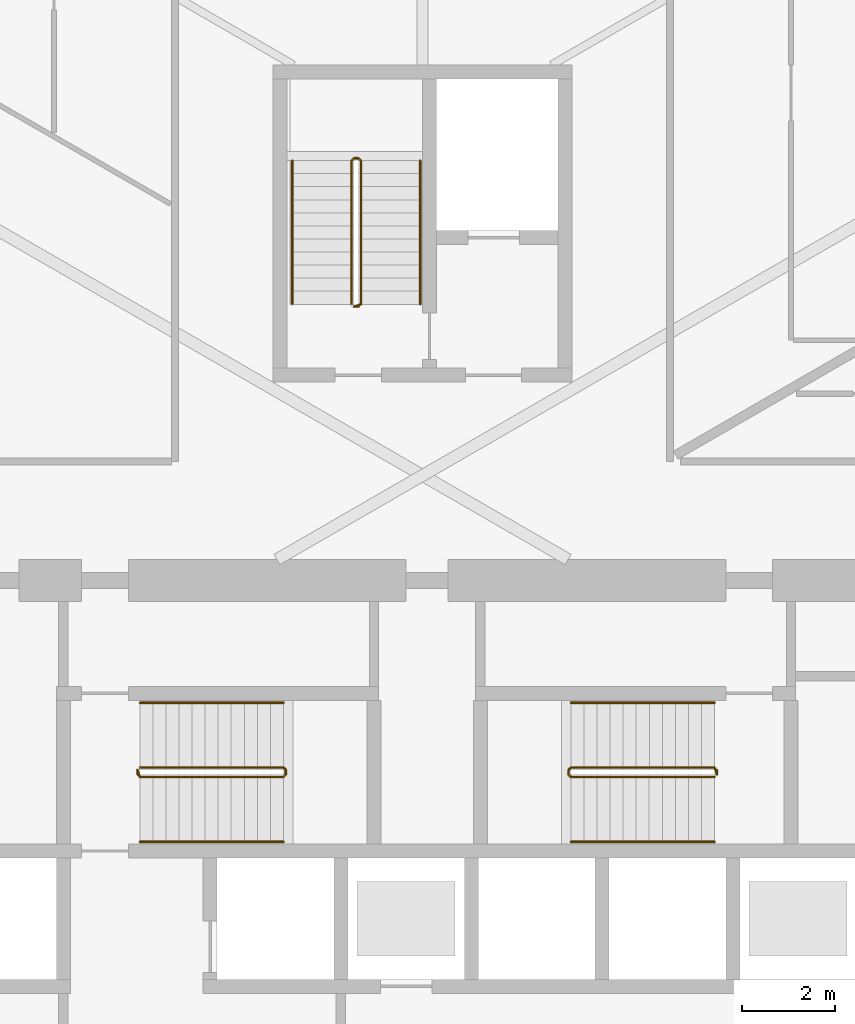
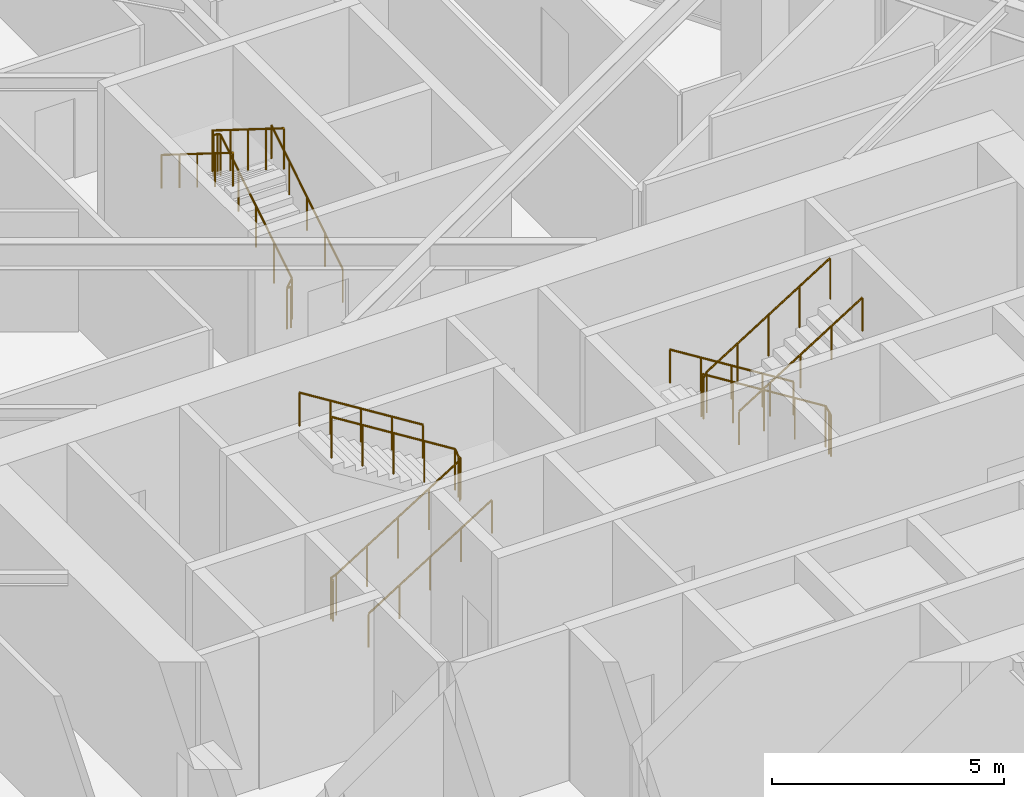
# One storey, part 18 of 19: 9 railings.
"""IFC4 building model written with IfcOpenShell, lengths in metres."""

from ifc_helpers import new_model, si_unit, direction, frame, origin, origin_2d, place, context, subcontext, project, spatial, circle, extrude, material, type_object, element, save


model = new_model("IFC4")

# Units and contexts
model_context = context("Model", 3, precision=1e-05, world=origin(), true_north=direction((0.0, 1.0)))
body_context = subcontext(model_context, "Body", "Model", "MODEL_VIEW")
ifc_project = project(units=[si_unit("LENGTHUNIT", "METRE"), si_unit("AREAUNIT", "SQUARE_METRE"), si_unit("VOLUMEUNIT", "CUBIC_METRE"), si_unit("PLANEANGLEUNIT", "RADIAN"), si_unit("MASSUNIT", "GRAM", prefix="KILO")], contexts=[model_context])

# Site, building, storey
site_placement = place(None, origin())
site = spatial("IfcSite", under=ifc_project, at=site_placement, CompositionType="ELEMENT")
building_placement = place(site_placement, origin())
building = spatial("IfcBuilding", under=site, at=building_placement, Name="Firuza Gate Tower and Library", CompositionType="ELEMENT")
storey_placement = place(building_placement, frame((0.0, 0.0, 103.0)))
storey = spatial("IfcBuildingStorey", under=building, at=storey_placement, Name="L23", CompositionType="ELEMENT", Elevation=103.0)

# Railings
ifc_material_1 = material(Name="Steel S355", Category="steel")
railing_type_1 = type_object("IfcRailingType", Name="Stair guard 1100", PredefinedType="GUARDRAIL", material=ifc_material_1)
railing_1_placement = place(storey_placement, frame((68.889892578125, 79.389892578125, 0.0)))
element("IfcRailing", 1, at=railing_1_placement, inside=storey, type_object=railing_type_1, Name="L23 ST1 stair guard 1", PredefinedType="GUARDRAIL", context=body_context, shape_type="SweptSolid", body=[
    extrude(circle(Radius=0.02392578125, at=origin_2d()), frame((0.0, 0.0, 1.076171875), z_axis=(0.0, 1.0, 0.0), x_axis=(-1.0, 0.0, 0.0)), (0.0, 0.0, 1.0), 0.10009765625),
    extrude(circle(Radius=0.02392578125, at=origin_2d()), frame((0.0, 0.10009765625, 1.076171875), z_axis=(0.21222055169, -0.635626432867, 0.742254319813), x_axis=(0.948528701346, 0.316691178788, 0.0)), (0.0, 0.0, 1.0), 0.23583984375),
    extrude(circle(Radius=0.02392578125, at=origin_2d()), frame((0.050048828125, -0.0498046875, 1.2509765625), z_axis=(0.847998304005, 0.0, 0.529998940003), x_axis=(0.0, 1.0, 0.0)), (0.0, 0.0, 1.0), 3.632080078125),
    extrude(circle(Radius=0.02392578125, at=origin_2d()), frame((3.130126953125, -0.0498046875, 3.17626953125), z_axis=(0.708833529934, 0.705375805398, 0.0), x_axis=(-0.705375805398, 0.708833529934, 0.0)), (0.0, 0.0, 1.0), 0.070556640625),
    extrude(circle(Radius=0.02392578125, at=origin_2d()), frame((3.18017578125, 0.0, 3.17626953125), z_axis=(0.0, 1.0, 0.0), x_axis=(-1.0, 0.0, 0.0)), (0.0, 0.0, 1.0), 0.10009765625),
    extrude(circle(Radius=0.02392578125, at=origin_2d()), frame((3.18017578125, 0.10009765625, 3.17626953125), z_axis=(-0.265383341853, 0.265383341853, 0.926899867156), x_axis=(-0.707106781187, -0.707106781187, 0.0)), (0.0, 0.0, 1.0), 0.1884765625),
    extrude(circle(Radius=0.02392578125, at=origin_2d()), frame((3.130126953125, 0.150146484375, 3.35107421875), z_axis=(-0.847998304005, 0.0, 0.529998940003), x_axis=(0.0, -1.0, 0.0)), (0.0, 0.0, 1.0), 3.632080078125),
    extrude(circle(Radius=0.02099609375, at=origin_2d()), origin(), (0.0, 0.0, 1.0), 1.052001953125),
    extrude(circle(Radius=0.02099609375, at=origin_2d()), frame((0.0, 0.10009765625, 0.0)), (0.0, 0.0, 1.0), 1.052001953125),
    extrude(circle(Radius=0.02099609375, at=origin_2d()), frame((0.050048828125, -0.0498046875, 0.175048828125)), (0.0, 0.0, 1.0), 1.052001953125),
    extrude(circle(Radius=0.02099609375, at=origin_2d()), frame((0.820068359375, -0.0498046875, 0.65625)), (0.0, 0.0, 1.0), 1.052001953125),
    extrude(circle(Radius=0.02099609375, at=origin_2d()), frame((1.590087890625, -0.0498046875, 1.1376953125)), (0.0, 0.0, 1.0), 1.052001953125),
    extrude(circle(Radius=0.02099609375, at=origin_2d()), frame((2.360107421875, -0.0498046875, 1.618896484375)), (0.0, 0.0, 1.0), 1.052001953125),
    extrude(circle(Radius=0.02099609375, at=origin_2d()), frame((3.130126953125, -0.0498046875, 2.10009765625)), (0.0, 0.0, 1.0), 1.052001953125),
    extrude(circle(Radius=0.02099609375, at=origin_2d()), frame((3.18017578125, 0.0, 2.10009765625)), (0.0, 0.0, 1.0), 1.052001953125),
    extrude(circle(Radius=0.02099609375, at=origin_2d()), frame((3.18017578125, 0.10009765625, 2.10009765625)), (0.0, 0.0, 1.0), 1.052001953125),
    extrude(circle(Radius=0.02099609375, at=origin_2d()), frame((3.130126953125, 0.150146484375, 2.27490234375)), (0.0, 0.0, 1.0), 1.052001953125),
    extrude(circle(Radius=0.02099609375, at=origin_2d()), frame((2.360107421875, 0.150146484375, 2.756103515625)), (0.0, 0.0, 1.0), 1.052001953125),
    extrude(circle(Radius=0.02099609375, at=origin_2d()), frame((1.590087890625, 0.150146484375, 3.2373046875)), (0.0, 0.0, 1.0), 1.052001953125),
    extrude(circle(Radius=0.02099609375, at=origin_2d()), frame((0.820068359375, 0.150146484375, 3.71875)), (0.0, 0.0, 1.0), 1.052001953125),
    extrude(circle(Radius=0.02099609375, at=origin_2d()), frame((0.050048828125, 0.150146484375, 4.199951171875)), (0.0, 0.0, 1.0), 1.052001953125),
])
railing_2_placement = place(storey_placement, frame((81.31005859375, 79.489990234375, 0.0)))
element("IfcRailing", 2, at=railing_2_placement, inside=storey, type_object=railing_type_1, Name="L23 ST2 stair guard 1", PredefinedType="GUARDRAIL", context=body_context, shape_type="SweptSolid", body=[
    extrude(circle(Radius=0.02392578125, at=origin_2d()), frame((0.0, 0.0, 1.076171875), z_axis=(0.0, -1.0, 0.0), x_axis=(1.0, 0.0, 0.0)), (0.0, 0.0, 1.0), 0.10009765625),
    extrude(circle(Radius=0.02392578125, at=origin_2d()), frame((0.0, -0.10009765625, 1.076171875), z_axis=(-0.212080931658, 0.636242794973, 0.741765990237), x_axis=(-0.948683298051, -0.316227766017, 0.0)), (0.0, 0.0, 1.0), 0.236083984375),
    extrude(circle(Radius=0.02392578125, at=origin_2d()), frame((-0.050048828125, 0.050048828125, 1.2509765625), z_axis=(-0.847998304005, 0.0, 0.529998940003), x_axis=(0.0, -1.0, 0.0)), (0.0, 0.0, 1.0), 3.632080078125),
    extrude(circle(Radius=0.02392578125, at=origin_2d()), frame((-3.130126953125, 0.050048828125, 3.17626953125), z_axis=(-0.707106781187, -0.707106781187, 0.0), x_axis=(0.707106781187, -0.707106781187, 0.0)), (0.0, 0.0, 1.0), 0.07080078125),
    extrude(circle(Radius=0.02392578125, at=origin_2d()), frame((-3.18017578125, 0.0, 3.17626953125), z_axis=(0.0, -1.0, 0.0), x_axis=(1.0, 0.0, 0.0)), (0.0, 0.0, 1.0), 0.10009765625),
    extrude(circle(Radius=0.02392578125, at=origin_2d()), frame((-3.18017578125, -0.10009765625, 3.17626953125), z_axis=(0.265474339444, -0.264179342666, 0.927217692888), x_axis=(0.705375805398, 0.708833529934, 0.0)), (0.0, 0.0, 1.0), 0.1884765625),
    extrude(circle(Radius=0.02392578125, at=origin_2d()), frame((-3.130126953125, -0.14990234375, 3.35107421875), z_axis=(0.847998304005, 0.0, 0.529998940003), x_axis=(0.0, 1.0, 0.0)), (0.0, 0.0, 1.0), 3.632080078125),
    extrude(circle(Radius=0.02099609375, at=origin_2d()), origin(), (0.0, 0.0, 1.0), 1.052001953125),
    extrude(circle(Radius=0.02099609375, at=origin_2d()), frame((0.0, -0.10009765625, 0.0)), (0.0, 0.0, 1.0), 1.052001953125),
    extrude(circle(Radius=0.02099609375, at=origin_2d()), frame((-0.050048828125, 0.050048828125, 0.175048828125)), (0.0, 0.0, 1.0), 1.052001953125),
    extrude(circle(Radius=0.02099609375, at=origin_2d()), frame((-0.820068359375, 0.050048828125, 0.65625)), (0.0, 0.0, 1.0), 1.052001953125),
    extrude(circle(Radius=0.02099609375, at=origin_2d()), frame((-1.590087890625, 0.050048828125, 1.1376953125)), (0.0, 0.0, 1.0), 1.052001953125),
    extrude(circle(Radius=0.02099609375, at=origin_2d()), frame((-2.360107421875, 0.050048828125, 1.618896484375)), (0.0, 0.0, 1.0), 1.052001953125),
    extrude(circle(Radius=0.02099609375, at=origin_2d()), frame((-3.130126953125, 0.050048828125, 2.10009765625)), (0.0, 0.0, 1.0), 1.052001953125),
    extrude(circle(Radius=0.02099609375, at=origin_2d()), frame((-3.18017578125, 0.0, 2.10009765625)), (0.0, 0.0, 1.0), 1.052001953125),
    extrude(circle(Radius=0.02099609375, at=origin_2d()), frame((-3.18017578125, -0.10009765625, 2.10009765625)), (0.0, 0.0, 1.0), 1.052001953125),
    extrude(circle(Radius=0.02099609375, at=origin_2d()), frame((-3.130126953125, -0.14990234375, 2.27490234375)), (0.0, 0.0, 1.0), 1.052001953125),
    extrude(circle(Radius=0.02099609375, at=origin_2d()), frame((-2.360107421875, -0.14990234375, 2.756103515625)), (0.0, 0.0, 1.0), 1.052001953125),
    extrude(circle(Radius=0.02099609375, at=origin_2d()), frame((-1.590087890625, -0.14990234375, 3.2373046875)), (0.0, 0.0, 1.0), 1.052001953125),
    extrude(circle(Radius=0.02099609375, at=origin_2d()), frame((-0.820068359375, -0.14990234375, 3.71875)), (0.0, 0.0, 1.0), 1.052001953125),
    extrude(circle(Radius=0.02099609375, at=origin_2d()), frame((-0.050048828125, -0.14990234375, 4.199951171875)), (0.0, 0.0, 1.0), 1.052001953125),
])
railing_3_placement = place(storey_placement, frame((73.6298828125, 89.419921875, 0.0)))
element("IfcRailing", 3, at=railing_3_placement, inside=storey, type_object=railing_type_1, Name="L23 ST3 stair guard 1", PredefinedType="GUARDRAIL", context=body_context, shape_type="SweptSolid", body=[
    extrude(circle(Radius=0.02392578125, at=origin_2d()), frame((0.0, 0.0, 1.076171875), z_axis=(-1.0, 0.0, 0.0), x_axis=(0.0, -1.0, 0.0)), (0.0, 0.0, 1.0), 0.099853515625),
    extrude(circle(Radius=0.02392578125, at=origin_2d()), frame((-0.099853515625, 0.0, 1.076171875), z_axis=(0.635626432867, 0.21222055169, 0.742254319813), x_axis=(-0.316691178788, 0.948528701346, 0.0)), (0.0, 0.0, 1.0), 0.23583984375),
    extrude(circle(Radius=0.02392578125, at=origin_2d()), frame((0.050048828125, 0.050048828125, 1.2509765625), z_axis=(0.0, 0.847998304005, 0.529998940003), x_axis=(-1.0, 0.0, 0.0)), (0.0, 0.0, 1.0), 3.632080078125),
    extrude(circle(Radius=0.02392578125, at=origin_2d()), frame((0.050048828125, 3.130126953125, 3.17626953125), z_axis=(-0.707106781187, 0.707106781187, 0.0), x_axis=(-0.707106781187, -0.707106781187, 0.0)), (0.0, 0.0, 1.0), 0.07080078125),
    extrude(circle(Radius=0.02392578125, at=origin_2d()), frame((0.0, 3.18017578125, 3.17626953125), z_axis=(-1.0, 0.0, 0.0), x_axis=(0.0, -1.0, 0.0)), (0.0, 0.0, 1.0), 0.099853515625),
    extrude(circle(Radius=0.02392578125, at=origin_2d()), frame((-0.099853515625, 3.18017578125, 3.17626953125), z_axis=(-0.265383341853, -0.265383341853, 0.926899867156), x_axis=(0.707106781187, -0.707106781187, 0.0)), (0.0, 0.0, 1.0), 0.1884765625),
    extrude(circle(Radius=0.02392578125, at=origin_2d()), frame((-0.14990234375, 3.130126953125, 3.35107421875), z_axis=(0.0, -0.847998304005, 0.529998940003), x_axis=(1.0, 0.0, 0.0)), (0.0, 0.0, 1.0), 3.632080078125),
    extrude(circle(Radius=0.02099609375, at=origin_2d()), origin(), (0.0, 0.0, 1.0), 1.052001953125),
    extrude(circle(Radius=0.02099609375, at=origin_2d()), frame((-0.099853515625, 0.0, 0.0)), (0.0, 0.0, 1.0), 1.052001953125),
    extrude(circle(Radius=0.02099609375, at=origin_2d()), frame((0.050048828125, 0.050048828125, 0.175048828125)), (0.0, 0.0, 1.0), 1.052001953125),
    extrude(circle(Radius=0.02099609375, at=origin_2d()), frame((0.050048828125, 0.820068359375, 0.65625)), (0.0, 0.0, 1.0), 1.052001953125),
    extrude(circle(Radius=0.02099609375, at=origin_2d()), frame((0.050048828125, 1.590087890625, 1.1376953125)), (0.0, 0.0, 1.0), 1.052001953125),
    extrude(circle(Radius=0.02099609375, at=origin_2d()), frame((0.050048828125, 2.360107421875, 1.618896484375)), (0.0, 0.0, 1.0), 1.052001953125),
    extrude(circle(Radius=0.02099609375, at=origin_2d()), frame((0.050048828125, 3.130126953125, 2.10009765625)), (0.0, 0.0, 1.0), 1.052001953125),
    extrude(circle(Radius=0.02099609375, at=origin_2d()), frame((0.0, 3.18017578125, 2.10009765625)), (0.0, 0.0, 1.0), 1.052001953125),
    extrude(circle(Radius=0.02099609375, at=origin_2d()), frame((-0.099853515625, 3.18017578125, 2.10009765625)), (0.0, 0.0, 1.0), 1.052001953125),
    extrude(circle(Radius=0.02099609375, at=origin_2d()), frame((-0.14990234375, 3.130126953125, 2.27490234375)), (0.0, 0.0, 1.0), 1.052001953125),
    extrude(circle(Radius=0.02099609375, at=origin_2d()), frame((-0.14990234375, 2.360107421875, 2.756103515625)), (0.0, 0.0, 1.0), 1.052001953125),
    extrude(circle(Radius=0.02099609375, at=origin_2d()), frame((-0.14990234375, 1.590087890625, 3.2373046875)), (0.0, 0.0, 1.0), 1.052001953125),
    extrude(circle(Radius=0.02099609375, at=origin_2d()), frame((-0.14990234375, 0.820068359375, 3.71875)), (0.0, 0.0, 1.0), 1.052001953125),
    extrude(circle(Radius=0.02099609375, at=origin_2d()), frame((-0.14990234375, 0.050048828125, 4.199951171875)), (0.0, 0.0, 1.0), 1.052001953125),
])
ifc_material_2 = material(Name="Steel S355", Category="steel")
railing_type_2 = type_object("IfcRailingType", Name="Stair handrail 900", PredefinedType="HANDRAIL", material=ifc_material_2)
railing_4_placement = place(storey_placement, frame((68.93994140625, 77.949951171875, 0.175048828125)))
element("IfcRailing", 4, at=railing_4_placement, inside=storey, type_object=railing_type_2, Name="L23 ST1 stair handrail 1", PredefinedType="HANDRAIL", context=body_context, shape_type="SweptSolid", body=[
    extrude(circle(Radius=0.02392578125, at=origin_2d()), frame((0.0, 0.0, 0.8759765625), z_axis=(0.847998304005, 0.0, 0.529998940003), x_axis=(0.0, 1.0, 0.0)), (0.0, 0.0, 1.0), 3.632080078125),
    extrude(circle(Radius=0.02099609375, at=origin_2d()), origin(), (0.0, 0.0, 1.0), 0.851806640625),
    extrude(circle(Radius=0.02099609375, at=origin_2d()), frame((0.77001953125, 0.0, 0.481201171875)), (0.0, 0.0, 1.0), 0.851806640625),
    extrude(circle(Radius=0.02099609375, at=origin_2d()), frame((1.5400390625, 0.0, 0.96240234375)), (0.0, 0.0, 1.0), 0.851806640625),
    extrude(circle(Radius=0.02099609375, at=origin_2d()), frame((2.31005859375, 0.0, 1.44384765625)), (0.0, 0.0, 1.0), 0.851806640625),
    extrude(circle(Radius=0.02099609375, at=origin_2d()), frame((3.080078125, 0.0, 1.925048828125)), (0.0, 0.0, 1.0), 0.851806640625),
])
for number, where, name in (
    (5, (72.02001953125, 80.929931640625, 2.27490234375), "L23 ST1 stair handrail 2"),
    (6, (81.260009765625, 80.929931640625, 0.175048828125), "L23 ST2 stair handrail 1"),
):
    element("IfcRailing", number, at=place(storey_placement, frame(where)), inside=storey, type_object=railing_type_2, Name=name, PredefinedType="HANDRAIL", context=body_context, shape_type="SweptSolid", body=[
        extrude(circle(Radius=0.02392578125, at=origin_2d()), frame((0.0, 0.0, 0.8759765625), z_axis=(-0.847998304005, 0.0, 0.529998940003), x_axis=(0.0, -1.0, 0.0)), (0.0, 0.0, 1.0), 3.632080078125),
        extrude(circle(Radius=0.02099609375, at=origin_2d()), origin(), (0.0, 0.0, 1.0), 0.851806640625),
        extrude(circle(Radius=0.02099609375, at=origin_2d()), frame((-0.77001953125, 0.0, 0.481201171875)), (0.0, 0.0, 1.0), 0.851806640625),
        extrude(circle(Radius=0.02099609375, at=origin_2d()), frame((-1.5400390625, 0.0, 0.96240234375)), (0.0, 0.0, 1.0), 0.851806640625),
        extrude(circle(Radius=0.02099609375, at=origin_2d()), frame((-2.31005859375, 0.0, 1.44384765625)), (0.0, 0.0, 1.0), 0.851806640625),
        extrude(circle(Radius=0.02099609375, at=origin_2d()), frame((-3.080078125, 0.0, 1.925048828125)), (0.0, 0.0, 1.0), 0.851806640625),
    ])
railing_5_placement = place(storey_placement, frame((78.179931640625, 77.949951171875, 2.27490234375)))
element("IfcRailing", 7, at=railing_5_placement, inside=storey, type_object=railing_type_2, Name="L23 ST2 stair handrail 2", PredefinedType="HANDRAIL", context=body_context, shape_type="SweptSolid", body=[
    extrude(circle(Radius=0.02392578125, at=origin_2d()), frame((0.0, 0.0, 0.8759765625), z_axis=(0.847998304005, 0.0, 0.529998940003), x_axis=(0.0, 1.0, 0.0)), (0.0, 0.0, 1.0), 3.632080078125),
    extrude(circle(Radius=0.02099609375, at=origin_2d()), origin(), (0.0, 0.0, 1.0), 0.851806640625),
    extrude(circle(Radius=0.02099609375, at=origin_2d()), frame((0.77001953125, 0.0, 0.481201171875)), (0.0, 0.0, 1.0), 0.851806640625),
    extrude(circle(Radius=0.02099609375, at=origin_2d()), frame((1.5400390625, 0.0, 0.96240234375)), (0.0, 0.0, 1.0), 0.851806640625),
    extrude(circle(Radius=0.02099609375, at=origin_2d()), frame((2.31005859375, 0.0, 1.44384765625)), (0.0, 0.0, 1.0), 0.851806640625),
    extrude(circle(Radius=0.02099609375, at=origin_2d()), frame((3.080078125, 0.0, 1.925048828125)), (0.0, 0.0, 1.0), 0.851806640625),
])
railing_6_placement = place(storey_placement, frame((74.949951171875, 89.469970703125, 0.175048828125)))
element("IfcRailing", 8, at=railing_6_placement, inside=storey, type_object=railing_type_2, Name="L23 ST3 stair handrail 1", PredefinedType="HANDRAIL", context=body_context, shape_type="SweptSolid", body=[
    extrude(circle(Radius=0.02392578125, at=origin_2d()), frame((0.0, 0.0, 0.8759765625), z_axis=(0.0, 0.847998304005, 0.529998940003), x_axis=(-1.0, 0.0, 0.0)), (0.0, 0.0, 1.0), 3.632080078125),
    extrude(circle(Radius=0.02099609375, at=origin_2d()), origin(), (0.0, 0.0, 1.0), 0.851806640625),
    extrude(circle(Radius=0.02099609375, at=origin_2d()), frame((0.0, 0.77001953125, 0.481201171875)), (0.0, 0.0, 1.0), 0.851806640625),
    extrude(circle(Radius=0.02099609375, at=origin_2d()), frame((0.0, 1.5400390625, 0.96240234375)), (0.0, 0.0, 1.0), 0.851806640625),
    extrude(circle(Radius=0.02099609375, at=origin_2d()), frame((0.0, 2.31005859375, 1.44384765625)), (0.0, 0.0, 1.0), 0.851806640625),
    extrude(circle(Radius=0.02099609375, at=origin_2d()), frame((0.0, 3.080078125, 1.925048828125)), (0.0, 0.0, 1.0), 0.851806640625),
])
railing_7_placement = place(storey_placement, frame((72.2099609375, 92.550048828125, 2.27490234375)))
element("IfcRailing", 9, at=railing_7_placement, inside=storey, type_object=railing_type_2, Name="L23 ST3 stair handrail 2", PredefinedType="HANDRAIL", context=body_context, shape_type="SweptSolid", body=[
    extrude(circle(Radius=0.02392578125, at=origin_2d()), frame((0.0, 0.0, 0.8759765625), z_axis=(0.0, -0.847998304005, 0.529998940003), x_axis=(1.0, 0.0, 0.0)), (0.0, 0.0, 1.0), 3.632080078125),
    extrude(circle(Radius=0.02099609375, at=origin_2d()), origin(), (0.0, 0.0, 1.0), 0.851806640625),
    extrude(circle(Radius=0.02099609375, at=origin_2d()), frame((0.0, -0.77001953125, 0.481201171875)), (0.0, 0.0, 1.0), 0.851806640625),
    extrude(circle(Radius=0.02099609375, at=origin_2d()), frame((0.0, -1.5400390625, 0.96240234375)), (0.0, 0.0, 1.0), 0.851806640625),
    extrude(circle(Radius=0.02099609375, at=origin_2d()), frame((0.0, -2.31005859375, 1.44384765625)), (0.0, 0.0, 1.0), 0.851806640625),
    extrude(circle(Radius=0.02099609375, at=origin_2d()), frame((0.0, -3.080078125, 1.925048828125)), (0.0, 0.0, 1.0), 0.851806640625),
])

save(model, "model.ifc")
